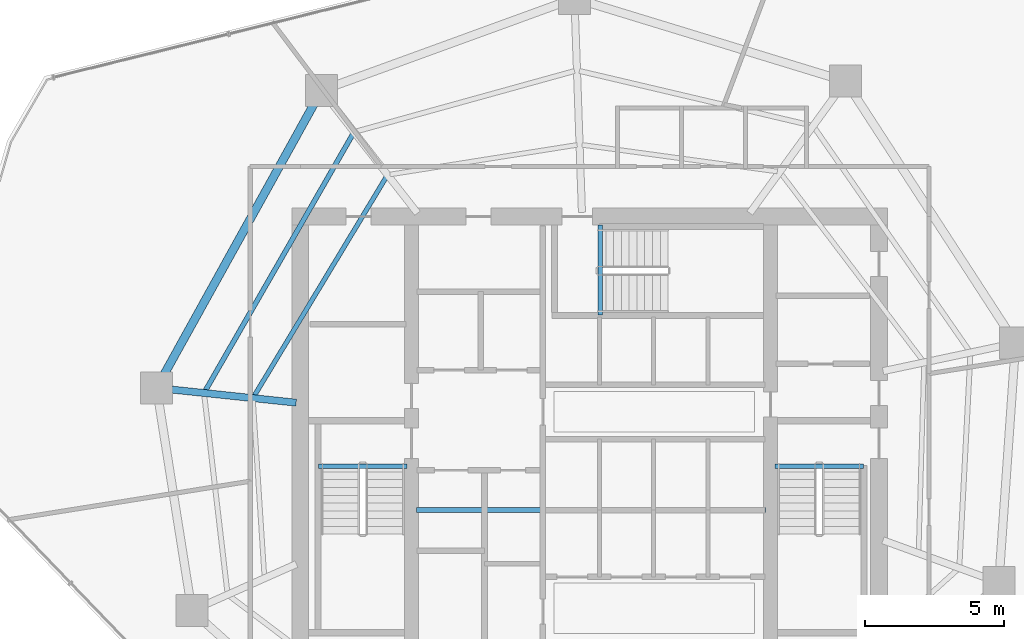
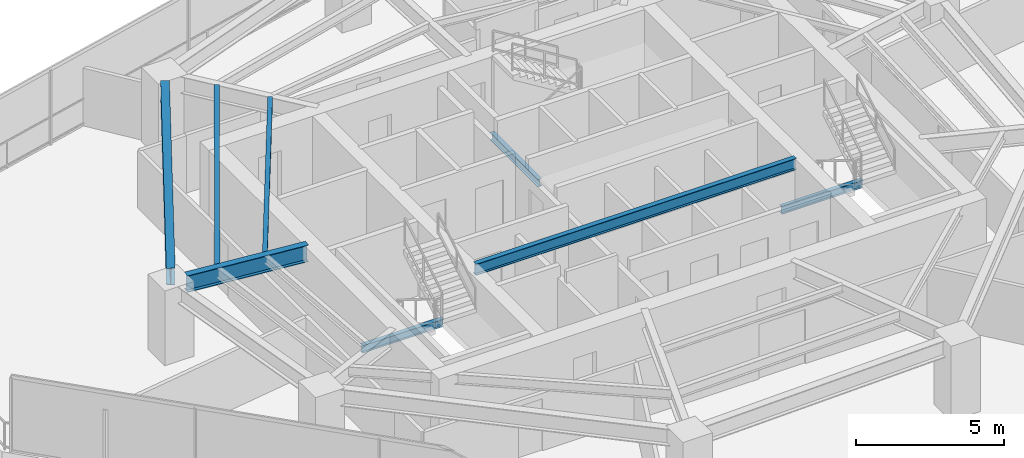
# One storey, part 6 of 23: 8 beams.
"""IFC4 building model written with IfcOpenShell, lengths in metres."""

from ifc_helpers import new_model, si_unit, direction, frame, origin, origin_2d, place, context, subcontext, project, spatial, i_section, extrude, material, material_profile, profile_set, type_object, element, save


model = new_model("IFC4")

# Units and contexts
model_context = context("Model", 3, precision=1e-05, world=origin(), true_north=direction((0.0, 1.0)))
body_context = subcontext(model_context, "Body", "Model", "MODEL_VIEW")
ifc_project = project(units=[si_unit("LENGTHUNIT", "METRE"), si_unit("AREAUNIT", "SQUARE_METRE"), si_unit("VOLUMEUNIT", "CUBIC_METRE"), si_unit("PLANEANGLEUNIT", "RADIAN"), si_unit("MASSUNIT", "GRAM", prefix="KILO")], contexts=[model_context])

# Site, building, storey
site_placement = place(None, origin())
site = spatial("IfcSite", under=ifc_project, at=site_placement, CompositionType="ELEMENT")
building_placement = place(site_placement, origin())
building = spatial("IfcBuilding", under=site, at=building_placement, Name="Qarnah Convention Tower", CompositionType="ELEMENT")
storey_placement = place(building_placement, frame((0.0, 0.0, 117.75)))
storey = spatial("IfcBuildingStorey", under=building, at=storey_placement, Name="L31", CompositionType="ELEMENT", Elevation=117.75)

# Beams
ifc_material = material(Name="Structural steel S355JR", Category="steel")
ifc_material_profile_1 = material_profile(ifc_material, i_section(OverallWidth=0.19189453125, OverallDepth=0.464111328125, WebThickness=0.010986328125, FlangeThickness=0.01806640625, at=origin_2d()), Name="W460X89")
ifc_profile_set_1 = profile_set([ifc_material_profile_1], Name="Structural steel S355JR")
beam_type_1 = type_object("IfcBeamType", Name="BM-CANT-W460A", PredefinedType="BEAM", material=ifc_profile_set_1)
beam_1_placement = place(storey_placement, frame((30.97998046875, 23.64990234375, 2.85791015625), z_axis=(1.0, 0.0, 0.0), x_axis=(0.0, 1.0, 0.0)))
element("IfcBeam", 1, at=beam_1_placement, inside=storey, type_object=beam_type_1, Name="L31 beam BM-L31-KC1", PredefinedType="BEAM", context=body_context, shape_type="SweptSolid", body=[
    extrude(i_section(OverallWidth=0.19189453125, OverallDepth=0.464111328125, WebThickness=0.010986328125, FlangeThickness=0.01806640625, at=origin_2d()), origin(), (0.0, 0.0, 1.0), 12.5400390625),
])
ifc_material_profile_2 = material_profile(ifc_material, i_section(OverallWidth=0.166015625, OverallDepth=0.31201171875, WebThickness=0.007080078125, FlangeThickness=0.010986328125, at=origin_2d()), Name="W310X45")
ifc_profile_set_2 = profile_set([ifc_material_profile_2], Name="Structural steel S355JR")
beam_type_2 = type_object("IfcBeamType", Name="BM-JST-W310", PredefinedType="JOIST", material=ifc_profile_set_2)
for number, where, z_axis, x_axis, name in (
    (2, (27.4599609375, 25.217041015625, -0.156005859375), (1.0, 0.0, 0.0), (0.0, 1.0, 0.0), "L31 stair landing trimmer beam BM-L31-ST1-TRM"),
    (3, (43.860107421875, 25.217041015625, -0.156005859375), (1.0, 0.0, 0.0), (0.0, 1.0, 0.0), "L31 stair landing trimmer beam BM-L31-ST2-TRM"),
):
    element("IfcBeam", number, at=place(storey_placement, frame(where, z_axis=z_axis, x_axis=x_axis)), inside=storey, type_object=beam_type_2, Name=name, PredefinedType="BEAM", context=body_context, shape_type="SweptSolid", body=[
        extrude(i_section(OverallWidth=0.166015625, OverallDepth=0.31201171875, WebThickness=0.007080078125, FlangeThickness=0.010986328125, at=origin_2d()), origin(), (0.0, 0.0, 1.0), 3.179931640625),
    ])
beam_2_placement = place(storey_placement, frame((37.5830078125, 30.659912109375, -0.156005859375), z_axis=(0.0, 1.0, 0.0), x_axis=(-1.0, 0.0, 0.0)))
element("IfcBeam", 4, at=beam_2_placement, inside=storey, type_object=beam_type_2, Name="L31 stair landing trimmer beam BM-L31-ST3-TRM", PredefinedType="BEAM", context=body_context, shape_type="SweptSolid", body=[
    extrude(i_section(OverallWidth=0.166015625, OverallDepth=0.31201171875, WebThickness=0.007080078125, FlangeThickness=0.010986328125, at=origin_2d()), origin(), (0.0, 0.0, 1.0), 3.239990234375),
])
beam_3_placement = place(storey_placement, frame((29.89111328125, 35.618896484375, 2.93408203125), z_axis=(-0.516661946576, -0.856189484262, 0.0), x_axis=(0.856189484262, -0.516661946576, 0.0)))
element("IfcBeam", 5, at=beam_3_placement, inside=storey, type_object=beam_type_2, Name="L31 joist BM-L31-IJST-04", PredefinedType="JOIST", context=body_context, shape_type="SweptSolid", body=[
    extrude(i_section(OverallWidth=0.166015625, OverallDepth=0.31201171875, WebThickness=0.007080078125, FlangeThickness=0.010986328125, at=origin_2d()), origin(), (0.0, 0.0, 1.0), 9.191650390625),
])
ifc_material_profile_3 = material_profile(ifc_material, i_section(OverallWidth=0.177978515625, OverallDepth=0.407958984375, WebThickness=0.008056640625, FlangeThickness=0.012939453125, at=origin_2d()), Name="W410X60")
ifc_profile_set_3 = profile_set([ifc_material_profile_3], Name="Structural steel S355JR")
beam_type_3 = type_object("IfcBeamType", Name="BM-JST-W410", PredefinedType="JOIST", material=ifc_profile_set_3)
beam_4_placement = place(storey_placement, frame((28.68896484375, 37.157958984375, 2.885986328125), z_axis=(-0.498526739612, -0.866874321855, 0.0), x_axis=(0.866874321855, -0.498526739612, 0.0)))
element("IfcBeam", 6, at=beam_4_placement, inside=storey, type_object=beam_type_3, Name="L31 joist BM-L31-SJST-04", PredefinedType="JOIST", context=body_context, shape_type="SweptSolid", body=[
    extrude(i_section(OverallWidth=0.177978515625, OverallDepth=0.407958984375, WebThickness=0.008056640625, FlangeThickness=0.012939453125, at=origin_2d()), origin(), (0.0, 0.0, 1.0), 10.63916015625),
])
ifc_material_profile_4 = material_profile(ifc_material, i_section(OverallWidth=0.25390625, OverallDepth=0.68798828125, WebThickness=0.012939453125, FlangeThickness=0.02099609375, at=origin_2d()), Name="W690X152")
ifc_profile_set_4 = profile_set([ifc_material_profile_4], Name="Structural steel S355JR")
beam_type_4 = type_object("IfcBeamType", Name="BM-RAD-W690", PredefinedType="BEAM", material=ifc_profile_set_4)
beam_5_placement = place(storey_placement, frame((26.65087890625, 27.509033203125, 2.74609375), z_axis=(-0.994523622606, 0.104512028393, 0.0), x_axis=(-0.104512028393, -0.994523622606, 0.0)))
element("IfcBeam", 7, at=beam_5_placement, inside=storey, type_object=beam_type_4, Name="L31 beam BM-L31-RAD-05", PredefinedType="BEAM", context=body_context, shape_type="SweptSolid", body=[
    extrude(i_section(OverallWidth=0.25390625, OverallDepth=0.68798828125, WebThickness=0.012939453125, FlangeThickness=0.02099609375, at=origin_2d()), origin(), (0.0, 0.0, 1.0), 4.487548828125),
])
ifc_material_profile_5 = material_profile(ifc_material, i_section(OverallWidth=0.300048828125, OverallDepth=0.699951171875, WebThickness=0.01708984375, FlangeThickness=0.031982421875, at=origin_2d()), Name="HEB700")
ifc_profile_set_5 = profile_set([ifc_material_profile_5], Name="Structural steel S355JR")
beam_type_5 = type_object("IfcBeamType", Name="BM-RING-HEB700", PredefinedType="BEAM", material=ifc_profile_set_5)
beam_6_placement = place(storey_placement, frame((27.291015625, 38.238037109375, 2.739990234375), z_axis=(-0.484800448222, -0.874624791212, 0.0), x_axis=(0.874624791212, -0.484800448222, 0.0)))
element("IfcBeam", 8, at=beam_6_placement, inside=storey, type_object=beam_type_5, Name="L31 beam BM-L31-SPN-04", PredefinedType="BEAM", context=body_context, shape_type="SweptSolid", body=[
    extrude(i_section(OverallWidth=0.300048828125, OverallDepth=0.699951171875, WebThickness=0.01708984375, FlangeThickness=0.031982421875, at=origin_2d()), origin(), (0.0, 0.0, 1.0), 11.099609375),
])

save(model, "model.ifc")
